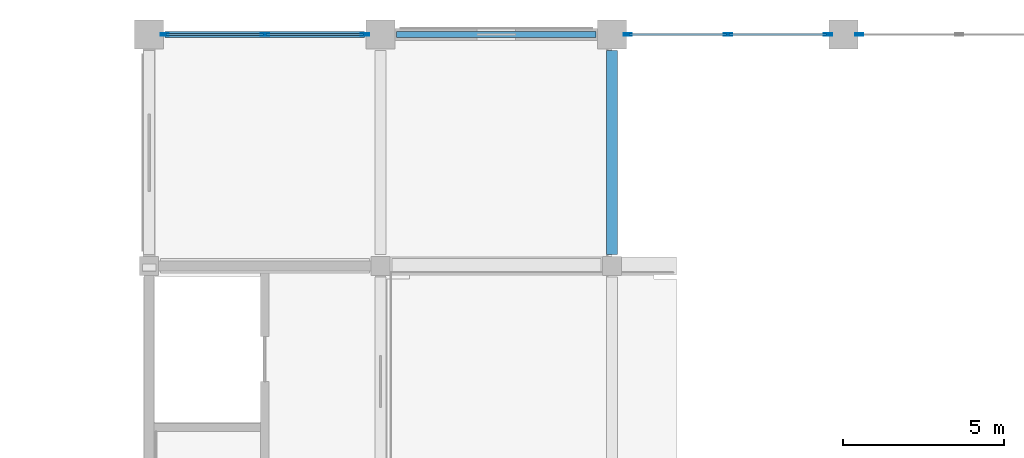
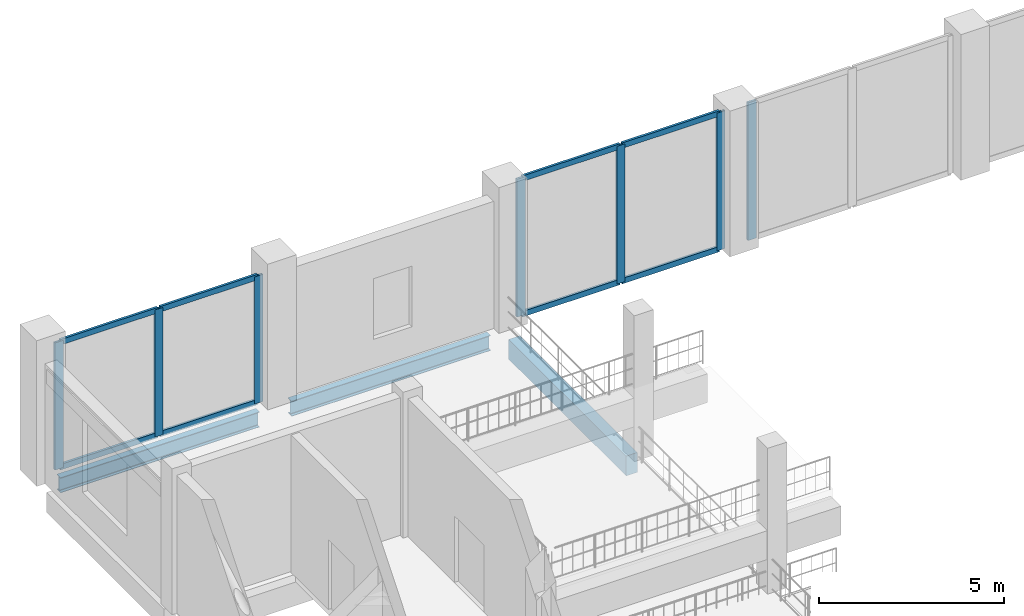
# One storey, part 28 of 99: 15 members, 3 beams, 3 elements without a shape of their own.
"""IFC4 building model written with IfcOpenShell, lengths in metres."""

from ifc_helpers import new_model, si_unit, direction, frame, origin, origin_2d, place, context, subcontext, project, spatial, rectangle, hollow_rectangle, i_section, extrude, material, material_profile, profile_set, type_object, element, aggregate, save


model = new_model("IFC4")

# Units and contexts
model_context = context("Model", 3, precision=1e-05, world=origin(), true_north=direction((0.0, 1.0)))
body_context = subcontext(model_context, "Body", "Model", "MODEL_VIEW")
ifc_project = project(units=[si_unit("LENGTHUNIT", "METRE"), si_unit("AREAUNIT", "SQUARE_METRE"), si_unit("VOLUMEUNIT", "CUBIC_METRE"), si_unit("PLANEANGLEUNIT", "RADIAN"), si_unit("MASSUNIT", "GRAM", prefix="KILO")], contexts=[model_context])

# Site, building, storey
site_placement = place(None, origin())
site = spatial("IfcSite", under=ifc_project, at=site_placement, CompositionType="ELEMENT")
building_placement = place(site_placement, origin())
building = spatial("IfcBuilding", under=site, at=building_placement, Name="Vesperath Aquatics Centre", CompositionType="ELEMENT")
storey_placement = place(building_placement, frame((0.0, 0.0, 5.39990234375)))
storey = spatial("IfcBuildingStorey", under=building, at=storey_placement, Name="L01", CompositionType="ELEMENT", Elevation=5.39990234375)

# Beams
ifc_material_1 = material(Name="Concrete C35", Category="concrete")
ifc_material_profile_1 = material_profile(ifc_material_1, rectangle(XDim=0.35009765625, YDim=0.64990234375, at=origin_2d()), Name="RC 350x650")
ifc_profile_set_1 = profile_set([ifc_material_profile_1], Name="Concrete C35")
beam_type_1 = type_object("IfcBeamType", Name="BM-G05", PredefinedType="BEAM", material=ifc_profile_set_1)
beam_1_placement = place(storey_placement, frame((21.60009765625, 108.35009765625, -0.5849609375), z_axis=(0.0, 1.0, 0.0), x_axis=(-1.0, 0.0, 0.0)))
element("IfcBeam", 1, at=beam_1_placement, inside=storey, type_object=beam_type_1, Name="Floor Girder B05 L01 4 R-S", PredefinedType="BEAM", context=body_context, shape_type="SweptSolid", body=[
    extrude(rectangle(XDim=0.35009765625, YDim=0.64990234375, at=origin_2d()), origin(), (0.0, 0.0, 1.0), 6.349853515625),
])
ifc_material_2 = material(Name="Steel Q355D", Category="steel")
ifc_material_profile_2 = material_profile(ifc_material_2, i_section(OverallWidth=0.199951171875, OverallDepth=0.5, WebThickness=0.010009765625, FlangeThickness=0.01611328125, FilletRadius=0.02001953125, at=origin_2d()), Name="HN 500x200x10x16")
ifc_profile_set_2 = profile_set([ifc_material_profile_2], Name="Steel Q355D")
beam_type_2 = type_object("IfcBeamType", Name="BM-SP01", PredefinedType="SPANDREL", material=ifc_profile_set_2)
beam_2_placement = place(storey_placement, frame((7.699951171875, 115.199951171875, -0.510009765625), z_axis=(1.0, 0.0, 0.0), x_axis=(0.0, 1.0, 0.0)))
element("IfcBeam", 2, at=beam_2_placement, inside=storey, type_object=beam_type_2, Name="Floor Girder SP01 L01 S 2-3", PredefinedType="SPANDREL", context=body_context, shape_type="SweptSolid", body=[
    extrude(i_section(OverallWidth=0.199951171875, OverallDepth=0.5, WebThickness=0.010009765625, FlangeThickness=0.01611328125, FilletRadius=0.02001953125, at=origin_2d()), origin(), (0.0, 0.0, 1.0), 6.199951171875),
])
beam_3_placement = place(storey_placement, frame((14.89990234375, 115.199951171875, -0.510009765625), z_axis=(1.0, 0.0, 0.0), x_axis=(0.0, 1.0, 0.0)))
element("IfcBeam", 3, at=beam_3_placement, inside=storey, type_object=beam_type_2, Name="Floor Girder SP01 L01 S 3-4", PredefinedType="SPANDREL", context=body_context, shape_type="SweptSolid", body=[
    extrude(i_section(OverallWidth=0.199951171875, OverallDepth=0.5, WebThickness=0.010009765625, FlangeThickness=0.01611328125, FilletRadius=0.02001953125, at=origin_2d()), origin(), (0.0, 0.0, 1.0), 6.2001953125),
])

# Curtain wall, members
ifc_material_3 = material(Name="Thermally broken anodised bronze aluminium curtain wall", Category="aluminium")
curtain_wall_type = type_object("IfcCurtainWallType", Name="CW-02", PredefinedType="NOTDEFINED", material=ifc_material_3)
curtain_wall_1_placement = place(storey_placement, origin())
curtain_wall_1 = element("IfcCurtainWall", 4, at=curtain_wall_1_placement, inside=storey, type_object=curtain_wall_type, Name="Facade Curtain Wall CW02 L01_N_01_16", PredefinedType="NOTDEFINED")
ifc_material_4 = material(Name="Thermally broken anodised aluminium", Category="aluminium")
ifc_material_profile_3 = material_profile(ifc_material_4, hollow_rectangle(XDim=0.074951171875, YDim=0.260009765625, WallThickness=0.006103515625, at=origin_2d()), Name="CWM 75x260x6")
ifc_profile_set_3 = profile_set([ifc_material_profile_3], Name="Thermally broken anodised aluminium")
member_type_1 = type_object("IfcMemberType", Name="MB-CWM1", PredefinedType="MULLION", material=ifc_profile_set_3)
member_1_placement = place(storey_placement, frame((7.6875, 115.199951171875, 0.0), z_axis=(0.0, 0.0, 1.0), x_axis=(0.0, 1.0, 0.0)))
member_1 = element("IfcMember", 5, at=member_1_placement, type_object=member_type_1, Name="CW02 mullion 1", PredefinedType="MULLION", context=body_context, shape_type="SweptSolid", body=[
    extrude(hollow_rectangle(XDim=0.074951171875, YDim=0.260009765625, WallThickness=0.006103515625, at=origin_2d()), origin(), (0.0, 0.0, 1.0), 4.190185546875),
])
member_2_placement = place(storey_placement, frame((10.800048828125, 115.199951171875, 0.0), z_axis=(0.0, 0.0, 1.0), x_axis=(0.0, 1.0, 0.0)))
member_2 = element("IfcMember", 6, at=member_2_placement, type_object=member_type_1, Name="CW02 mullion 2", PredefinedType="MULLION", context=body_context, shape_type="SweptSolid", body=[
    extrude(hollow_rectangle(XDim=0.074951171875, YDim=0.260009765625, WallThickness=0.006103515625, at=origin_2d()), origin(), (0.0, 0.0, 1.0), 4.190185546875),
])
member_3_placement = place(storey_placement, frame((13.91259765625, 115.199951171875, 0.0), z_axis=(0.0, 0.0, 1.0), x_axis=(0.0, 1.0, 0.0)))
member_3 = element("IfcMember", 7, at=member_3_placement, type_object=member_type_1, Name="CW02 mullion 3", PredefinedType="MULLION", context=body_context, shape_type="SweptSolid", body=[
    extrude(hollow_rectangle(XDim=0.074951171875, YDim=0.260009765625, WallThickness=0.006103515625, at=origin_2d()), origin(), (0.0, 0.0, 1.0), 4.190185546875),
])

curtain_wall_2_placement = place(storey_placement, origin())
curtain_wall_2 = element("IfcCurtainWall", 8, at=curtain_wall_2_placement, inside=storey, type_object=curtain_wall_type, Name="Facade Curtain Wall CW02 L01_N_03_16", PredefinedType="NOTDEFINED")
member_4_placement = place(storey_placement, frame((22.08740234375, 115.199951171875, 0.0), z_axis=(0.0, 0.0, 1.0), x_axis=(0.0, 1.0, 0.0)))
member_4 = element("IfcMember", 9, at=member_4_placement, type_object=member_type_1, Name="CW02 mullion 1", PredefinedType="MULLION", context=body_context, shape_type="SweptSolid", body=[
    extrude(hollow_rectangle(XDim=0.074951171875, YDim=0.260009765625, WallThickness=0.006103515625, at=origin_2d()), origin(), (0.0, 0.0, 1.0), 4.5400390625),
])
member_5_placement = place(storey_placement, frame((25.199951171875, 115.199951171875, 0.0), z_axis=(0.0, 0.0, 1.0), x_axis=(0.0, 1.0, 0.0)))
member_5 = element("IfcMember", 10, at=member_5_placement, type_object=member_type_1, Name="CW02 mullion 2", PredefinedType="MULLION", context=body_context, shape_type="SweptSolid", body=[
    extrude(hollow_rectangle(XDim=0.074951171875, YDim=0.260009765625, WallThickness=0.006103515625, at=origin_2d()), origin(), (0.0, 0.0, 1.0), 4.5400390625),
])
member_6_placement = place(storey_placement, frame((28.3125, 115.199951171875, 0.0), z_axis=(0.0, 0.0, 1.0), x_axis=(0.0, 1.0, 0.0)))
member_6 = element("IfcMember", 11, at=member_6_placement, type_object=member_type_1, Name="CW02 mullion 3", PredefinedType="MULLION", context=body_context, shape_type="SweptSolid", body=[
    extrude(hollow_rectangle(XDim=0.074951171875, YDim=0.260009765625, WallThickness=0.006103515625, at=origin_2d()), origin(), (0.0, 0.0, 1.0), 4.5400390625),
])

# Curtain wall, member
curtain_wall_3_placement = place(storey_placement, origin())
curtain_wall_3 = element("IfcCurtainWall", 12, at=curtain_wall_3_placement, inside=storey, type_object=curtain_wall_type, Name="Facade Curtain Wall CW02 L01_N_04_16", PredefinedType="NOTDEFINED")
member_7_placement = place(storey_placement, frame((29.28759765625, 115.199951171875, 0.0), z_axis=(0.0, 0.0, 1.0), x_axis=(0.0, 1.0, 0.0)))
member_7 = element("IfcMember", 13, at=member_7_placement, type_object=member_type_1, Name="CW02 mullion 1", PredefinedType="MULLION", context=body_context, shape_type="SweptSolid", body=[
    extrude(hollow_rectangle(XDim=0.074951171875, YDim=0.260009765625, WallThickness=0.006103515625, at=origin_2d()), origin(), (0.0, 0.0, 1.0), 4.5400390625),
])
aggregate(curtain_wall_3, [member_7])

# Member
ifc_material_profile_4 = material_profile(ifc_material_4, hollow_rectangle(XDim=0.074951171875, YDim=0.179931640625, WallThickness=0.0048828125, at=origin_2d()), Name="CWT 75x180x5")
ifc_profile_set_4 = profile_set([ifc_material_profile_4], Name="Thermally broken anodised aluminium")
member_type_2 = type_object("IfcMemberType", Name="MB-CWT1", PredefinedType="USERDEFINED", material=ifc_profile_set_4)
member_8_placement = place(storey_placement, frame((7.72509765625, 115.199951171875, 0.03759765625), z_axis=(1.0, 0.0, 0.0), x_axis=(0.0, 1.0, 0.0)))
member_8 = element("IfcMember", 14, at=member_8_placement, type_object=member_type_2, Name="CW02 transom 1.1", ObjectType="TRANSOM", PredefinedType="USERDEFINED", context=body_context, shape_type="SweptSolid", body=[
    extrude(hollow_rectangle(XDim=0.074951171875, YDim=0.179931640625, WallThickness=0.0048828125, at=origin_2d()), origin(), (0.0, 0.0, 1.0), 3.037353515625),
])

member_9_placement = place(storey_placement, frame((7.72509765625, 115.199951171875, 4.152587890625), z_axis=(1.0, 0.0, 0.0), x_axis=(0.0, 1.0, 0.0)))
member_9 = element("IfcMember", 15, at=member_9_placement, type_object=member_type_2, Name="CW02 transom 1.2", ObjectType="TRANSOM", PredefinedType="USERDEFINED", context=body_context, shape_type="SweptSolid", body=[
    extrude(hollow_rectangle(XDim=0.074951171875, YDim=0.179931640625, WallThickness=0.0048828125, at=origin_2d()), origin(), (0.0, 0.0, 1.0), 3.037353515625),
])

member_10_placement = place(storey_placement, frame((10.83740234375, 115.199951171875, 0.03759765625), z_axis=(1.0, 0.0, 0.0), x_axis=(0.0, 1.0, 0.0)))
member_10 = element("IfcMember", 16, at=member_10_placement, type_object=member_type_2, Name="CW02 transom 2.1", ObjectType="TRANSOM", PredefinedType="USERDEFINED", context=body_context, shape_type="SweptSolid", body=[
    extrude(hollow_rectangle(XDim=0.074951171875, YDim=0.179931640625, WallThickness=0.0048828125, at=origin_2d()), origin(), (0.0, 0.0, 1.0), 3.03759765625),
])

member_11_placement = place(storey_placement, frame((10.83740234375, 115.199951171875, 4.152587890625), z_axis=(1.0, 0.0, 0.0), x_axis=(0.0, 1.0, 0.0)))
member_11 = element("IfcMember", 17, at=member_11_placement, type_object=member_type_2, Name="CW02 transom 2.2", ObjectType="TRANSOM", PredefinedType="USERDEFINED", context=body_context, shape_type="SweptSolid", body=[
    extrude(hollow_rectangle(XDim=0.074951171875, YDim=0.179931640625, WallThickness=0.0048828125, at=origin_2d()), origin(), (0.0, 0.0, 1.0), 3.03759765625),
])

aggregate(curtain_wall_1, [member_1, member_2, member_3, member_8, member_9, member_10, member_11])

member_12_placement = place(storey_placement, frame((22.125, 115.199951171875, 0.03759765625), z_axis=(1.0, 0.0, 0.0), x_axis=(0.0, 1.0, 0.0)))
member_12 = element("IfcMember", 18, at=member_12_placement, type_object=member_type_2, Name="CW02 transom 1.1", ObjectType="TRANSOM", PredefinedType="USERDEFINED", context=body_context, shape_type="SweptSolid", body=[
    extrude(hollow_rectangle(XDim=0.074951171875, YDim=0.179931640625, WallThickness=0.0048828125, at=origin_2d()), origin(), (0.0, 0.0, 1.0), 3.03759765625),
])

member_13_placement = place(storey_placement, frame((22.125, 115.199951171875, 4.502685546875), z_axis=(1.0, 0.0, 0.0), x_axis=(0.0, 1.0, 0.0)))
member_13 = element("IfcMember", 19, at=member_13_placement, type_object=member_type_2, Name="CW02 transom 1.2", ObjectType="TRANSOM", PredefinedType="USERDEFINED", context=body_context, shape_type="SweptSolid", body=[
    extrude(hollow_rectangle(XDim=0.074951171875, YDim=0.179931640625, WallThickness=0.0048828125, at=origin_2d()), origin(), (0.0, 0.0, 1.0), 3.03759765625),
])

member_14_placement = place(storey_placement, frame((25.237548828125, 115.199951171875, 0.03759765625), z_axis=(1.0, 0.0, 0.0), x_axis=(0.0, 1.0, 0.0)))
member_14 = element("IfcMember", 20, at=member_14_placement, type_object=member_type_2, Name="CW02 transom 2.1", ObjectType="TRANSOM", PredefinedType="USERDEFINED", context=body_context, shape_type="SweptSolid", body=[
    extrude(hollow_rectangle(XDim=0.074951171875, YDim=0.179931640625, WallThickness=0.0048828125, at=origin_2d()), origin(), (0.0, 0.0, 1.0), 3.037353515625),
])

member_15_placement = place(storey_placement, frame((25.237548828125, 115.199951171875, 4.502685546875), z_axis=(1.0, 0.0, 0.0), x_axis=(0.0, 1.0, 0.0)))
member_15 = element("IfcMember", 21, at=member_15_placement, type_object=member_type_2, Name="CW02 transom 2.2", ObjectType="TRANSOM", PredefinedType="USERDEFINED", context=body_context, shape_type="SweptSolid", body=[
    extrude(hollow_rectangle(XDim=0.074951171875, YDim=0.179931640625, WallThickness=0.0048828125, at=origin_2d()), origin(), (0.0, 0.0, 1.0), 3.037353515625),
])

aggregate(curtain_wall_2, [member_4, member_5, member_6, member_12, member_13, member_14, member_15])

save(model, "model.ifc")
